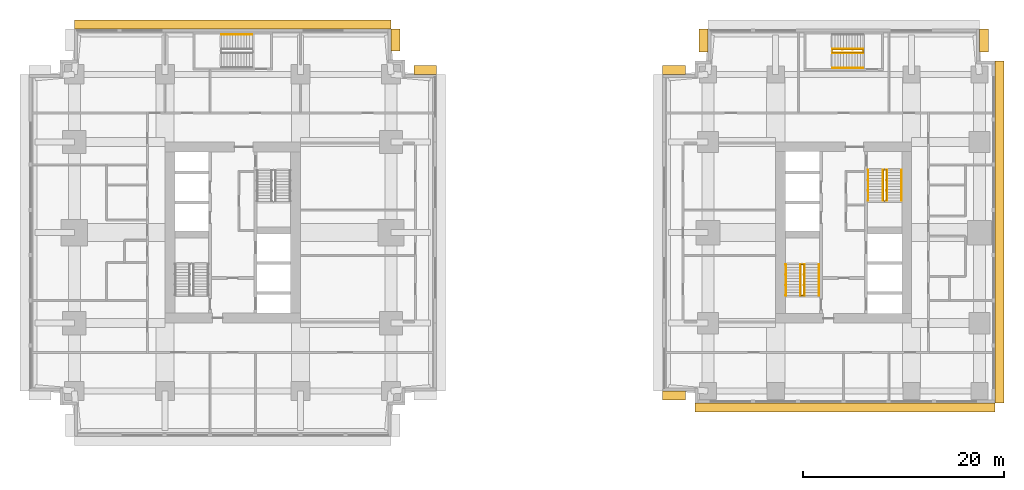
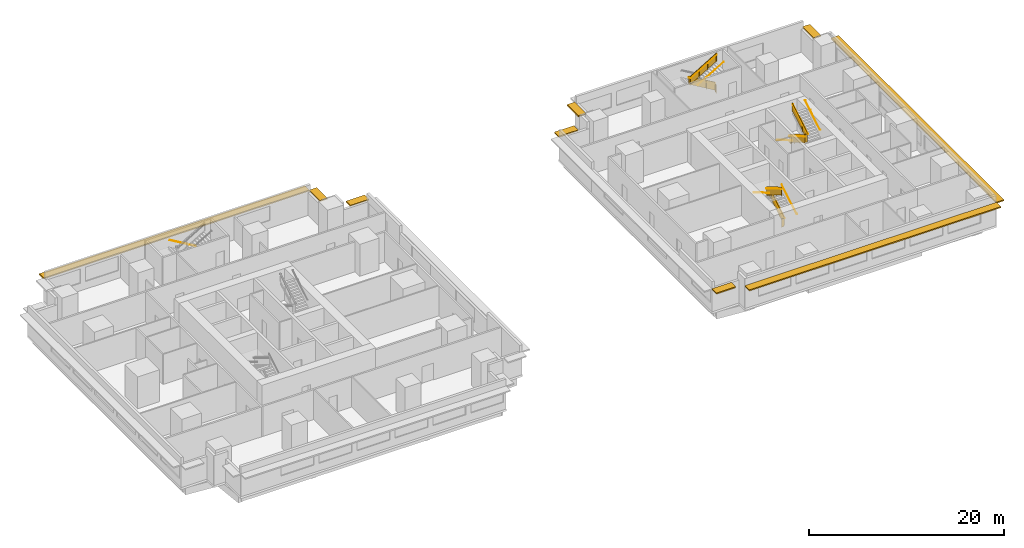
# One storey, part 10 of 11: 15 railings, 9 shading devices.
"""IFC4 building model written with IfcOpenShell, lengths in metres."""

import ifcopenshell
import ifcopenshell.guid

model = None  # the IFC model being written
_history = None  # IfcOwnerHistory: only IFC2X3 demands one
_inside = {}  # id of a spatial element -> (the spatial element, [elements in it])
_under = {}  # id of a project, library or spatial element -> (it, [spatial elements below it])
_declared = {}  # id of a project -> (the project, [libraries it declares])
_typed = {}  # id of a type object -> (the type object, [elements of that type])
_made_of = {}  # id of a material, layer set ... -> (it, [elements and type objects made of it])


def new_model(schema):
    """Start an empty IFC model of exactly this schema.

    Asked for "IFC4X3", IfcOpenShell would pick the latest addendum, in which some entities
    have other attributes; the version numbers below select the first issue.
    IFC2X3 requires an IfcOwnerHistory on every rooted entity: one is made here for all.
    """
    global model, _history
    if schema == "IFC4X3":
        model = ifcopenshell.file(schema_version=(4, 3, 0, 0))
    else:
        model = ifcopenshell.file(schema=schema)
    _inside.clear()
    _under.clear()
    _declared.clear()
    _typed.clear()
    _made_of.clear()
    _history = None
    if model.schema == "IFC2X3":
        org = make("IfcOrganization", Name="unknown")
        user = make(
            "IfcPersonAndOrganization",
            ThePerson=make("IfcPerson", FamilyName="unknown"),
            TheOrganization=org,
        )
        app = make(
            "IfcApplication",
            ApplicationDeveloper=org,
            Version="unknown",
            ApplicationFullName="unknown",
            ApplicationIdentifier="unknown",
        )
        _history = make(
            "IfcOwnerHistory",
            OwningUser=user,
            OwningApplication=app,
            ChangeAction="ADDED",
            CreationDate=0,
        )
    return model


def make(cls, **values):
    """One entity of the class cls with the attributes given. An attribute that is None is left unset."""
    return model.create_entity(
        cls, **{name: value for name, value in values.items() if value is not None}
    )


def rooted(cls, **values):
    """An entity with a GlobalId (a new one), such as an element, a storey or a relation."""
    return make(cls, GlobalId=ifcopenshell.guid.new(), OwnerHistory=_history, **values)


def si_unit(unit_type, name, prefix=None):
    """IfcSIUnit, for example si_unit("LENGTHUNIT", "METRE", prefix="MILLI")."""
    return make("IfcSIUnit", UnitType=unit_type, Prefix=prefix, Name=name)


def assignment(units):
    """IfcUnitAssignment: the units of a project."""
    return None if units is None else make("IfcUnitAssignment", Units=units)


def point(xyz):
    """IfcCartesianPoint."""
    return None if xyz is None else make("IfcCartesianPoint", Coordinates=xyz)


def direction(xyz):
    """IfcDirection."""
    return None if xyz is None else make("IfcDirection", DirectionRatios=xyz)


def frame(location, z_axis=None, x_axis=None):
    """IfcAxis2Placement3D, a coordinate frame: its origin and axes. An axis left out is left unset."""
    return make(
        "IfcAxis2Placement3D",
        Location=point(location),
        Axis=direction(z_axis),
        RefDirection=direction(x_axis),
    )


def frame_2d(location, x_axis=None):
    """IfcAxis2Placement2D, a coordinate frame in the plane: its origin and x axis."""
    return make(
        "IfcAxis2Placement2D", Location=point(location), RefDirection=direction(x_axis)
    )


def origin():
    """The frame at (0, 0, 0) with its axes left unset."""
    return frame((0.0, 0.0, 0.0))


def origin_2d():
    """The frame at (0, 0) in the plane with its x axis left unset."""
    return frame_2d((0.0, 0.0))


def place(relative_to, where):
    """IfcLocalPlacement: puts the frame where relative to a parent placement (None: the world)."""
    return make(
        "IfcLocalPlacement", PlacementRelTo=relative_to, RelativePlacement=where
    )


def context(
    kind, dimensions, precision=None, world=None, true_north=None, identifier=None
):
    """IfcGeometricRepresentationContext, for example the 3D "Model" context."""
    return make(
        "IfcGeometricRepresentationContext",
        ContextIdentifier=identifier,
        ContextType=kind,
        CoordinateSpaceDimension=dimensions,
        Precision=precision,
        WorldCoordinateSystem=world,
        TrueNorth=true_north,
    )


def subcontext(parent, identifier, kind, view, scale=None):
    """IfcGeometricRepresentationSubContext, for example "Body" below "Model"."""
    return make(
        "IfcGeometricRepresentationSubContext",
        ContextIdentifier=identifier,
        ContextType=kind,
        ParentContext=parent,
        TargetScale=scale,
        TargetView=view,
    )


def project(units=None, contexts=None):
    """IfcProject with its units and contexts."""
    return rooted(
        "IfcProject",
        Name="project",
        RepresentationContexts=contexts,
        UnitsInContext=assignment(units),
    )


def spatial(cls, under=None, at=None, **own):
    """A site, building, storey or space (cls), placed at a placement, below another one or the project."""
    s = rooted(cls, ObjectPlacement=at, **own)
    if under is not None:
        _under.setdefault(under.id(), (under, []))[1].append(s)
    return s


def polyline(points):
    """IfcPolyline through the points."""
    return make("IfcPolyline", Points=[point(p) for p in points])


def profile(cls, at=None, kind="AREA", **sizes):
    """A parametric profile (cls). Its sizes go by their IFC names, for example OverallWidth=200.0."""
    return make(cls, ProfileType=kind, Position=at, **sizes)


def rectangle(**sizes):
    """IfcRectangleProfileDef."""
    return profile("IfcRectangleProfileDef", **sizes)


def circle(**sizes):
    """IfcCircleProfileDef."""
    return profile("IfcCircleProfileDef", **sizes)


def outline(outer, holes=None, kind="AREA"):
    """IfcArbitraryClosedProfileDef: a profile drawn as a closed curve; with holes, ...WithVoids."""
    if holes is None:
        return make("IfcArbitraryClosedProfileDef", ProfileType=kind, OuterCurve=outer)
    return make(
        "IfcArbitraryProfileDefWithVoids",
        ProfileType=kind,
        OuterCurve=outer,
        InnerCurves=holes,
    )


def extrude(swept, where, along, depth):
    """IfcExtrudedAreaSolid: the profile swept, set in the frame where, extruded along a direction by depth."""
    return make(
        "IfcExtrudedAreaSolid",
        SweptArea=swept,
        Position=where,
        ExtrudedDirection=direction(along),
        Depth=depth,
    )


def shape(context_of_items, identifier, shape_type, items):
    """IfcShapeRepresentation: the items that make up one representation, for example the "Body"."""
    return make(
        "IfcShapeRepresentation",
        ContextOfItems=context_of_items,
        RepresentationIdentifier=identifier,
        RepresentationType=shape_type,
        Items=items,
    )


def material(Name=None, Category=None):
    """IfcMaterial."""
    return make("IfcMaterial", Name=Name, Category=Category)


def layer(
    of_material, thickness, ventilated=None, Name=None, Category=None, Priority=None
):
    """IfcMaterialLayer: one layer of a wall or slab, of a material (None: an air gap)."""
    return make(
        "IfcMaterialLayer",
        Material=of_material,
        LayerThickness=thickness,
        IsVentilated=ventilated,
        Name=Name,
        Category=Category,
        Priority=Priority,
    )


def layer_set(layers, Name=None):
    """IfcMaterialLayerSet."""
    return make("IfcMaterialLayerSet", MaterialLayers=layers, LayerSetName=Name)


def made_of(thing, what):
    """Note that an element or type object is made of a material, layer set ...; save() writes the relation."""
    if what is not None:
        _made_of.setdefault(what.id(), (what, []))[1].append(thing)
    return thing


def type_object(cls, material=None, **own):
    """A type object (cls), such as IfcWallType, which elements share."""
    return made_of(rooted(cls, **own), material)


def element(
    cls,
    number,
    at=None,
    inside=None,
    cuts=None,
    type_object=None,
    material=None,
    context=None,
    identifier="Body",
    shape_type=None,
    held_by="IfcProductDefinitionShape",
    body=None,
    shapes=None,
    **own,
):
    """One element of the class cls, such as IfcWall. Its Tag is "e" and its number.

    at: its placement. inside: the storey or other place that contains it. cuts: it is an
    opening in that element (IfcRelVoidsElement). A single representation is given by context,
    identifier, shape_type and body (its items); several are given by shapes. held_by: the class
    of the entity that holds the representations. save() writes the other relations.
    """
    e = rooted(cls, Tag="e%d" % number, ObjectPlacement=at, **own)
    if body is not None:
        shapes = [shape(context, identifier, shape_type, body)]
    if shapes is not None:
        e.Representation = make(held_by, Representations=shapes)
    if inside is not None:
        _inside.setdefault(inside.id(), (inside, []))[1].append(e)
    if cuts is not None:
        rooted(
            "IfcRelVoidsElement", RelatingBuildingElement=cuts, RelatedOpeningElement=e
        )
    if type_object is not None:
        _typed.setdefault(type_object.id(), (type_object, []))[1].append(e)
    return made_of(e, material)


def aggregate(whole, parts):
    """IfcRelAggregates: a whole, such as a stair, and the parts it consists of."""
    return rooted("IfcRelAggregates", RelatingObject=whole, RelatedObjects=parts)


def save(model, path):
    """Write the relations noted so far, then the file.

    IfcRelAggregates (storeys below a building ...), IfcRelContainedInSpatialStructure (elements
    in a storey), IfcRelDefinesByType, IfcRelAssociatesMaterial and IfcRelDeclares: one each for
    every whole, place, type object, material and project.
    """
    for whole, parts in _under.values():
        aggregate(whole, parts)
    for where, things in _inside.values():
        rooted(
            "IfcRelContainedInSpatialStructure",
            RelatedElements=things,
            RelatingStructure=where,
        )
    for kind, things in _typed.values():
        rooted("IfcRelDefinesByType", RelatedObjects=things, RelatingType=kind)
    for what, things in _made_of.values():
        rooted("IfcRelAssociatesMaterial", RelatedObjects=things, RelatingMaterial=what)
    for by, libraries in _declared.values():
        rooted("IfcRelDeclares", RelatingContext=by, RelatedDefinitions=libraries)
    model.write(path)


model = new_model("IFC4")

# Units and contexts
model_context = context("Model", 3, precision=1e-05, world=origin(), true_north=direction((0.0, 1.0)))
body_context = subcontext(model_context, "Body", "Model", "MODEL_VIEW")
ifc_project = project(units=[si_unit("LENGTHUNIT", "METRE"), si_unit("AREAUNIT", "SQUARE_METRE"), si_unit("VOLUMEUNIT", "CUBIC_METRE"), si_unit("PLANEANGLEUNIT", "RADIAN"), si_unit("MASSUNIT", "GRAM", prefix="KILO")], contexts=[model_context])

# Site, building, storey
site_placement = place(None, origin())
site = spatial("IfcSite", under=ifc_project, at=site_placement, CompositionType="ELEMENT")
building_placement = place(site_placement, origin())
building = spatial("IfcBuilding", under=site, at=building_placement, Name="Namib Vertical Campus", CompositionType="ELEMENT")
storey_placement = place(building_placement, frame((0.0, 0.0, 101.0)))
storey = spatial("IfcBuildingStorey", under=building, at=storey_placement, Name="L23", CompositionType="ELEMENT", Elevation=101.0)

# Railings
ifc_material_1 = material(Name="Steel handrail", Category="steel")
railing_type_1 = type_object("IfcRailingType", Name="Handrail 900", PredefinedType="HANDRAIL", material=ifc_material_1)
railing_1_placement = place(storey_placement, frame((78.550048828125, 14.0, 0.166748046875)))
element("IfcRailing", 1, at=railing_1_placement, inside=storey, type_object=railing_type_1, Name="Handrail HR1 B-S1 L23 1", PredefinedType="HANDRAIL", context=body_context, shape_type="SweptSolid", body=[
    extrude(circle(Radius=0.02392578125, at=origin_2d()), frame((0.0, 0.0, 0.8759765625), z_axis=(0.0, 0.859308565015, 0.511457515432), x_axis=(-1.0, 0.0, 0.0)), (0.0, 0.0, 1.0), 3.58447265625),
    extrude(circle(Radius=0.008056640625, at=origin_2d()), frame((0.0, 0.0, 0.8759765625), z_axis=(1.0, 0.0, 0.0), x_axis=(0.0, 0.0, 1.0)), (0.0, 0.0, 1.0), 0.050048828125),
    extrude(circle(Radius=0.008056640625, at=origin_2d()), frame((0.0, 1.026611328125, 1.48681640625), z_axis=(1.0, 0.0, 0.0), x_axis=(0.0, 0.0, 1.0)), (0.0, 0.0, 1.0), 0.050048828125),
    extrude(circle(Radius=0.008056640625, at=origin_2d()), frame((0.0, 2.053466796875, 2.09814453125), z_axis=(1.0, 0.0, 0.0), x_axis=(0.0, 0.0, 1.0)), (0.0, 0.0, 1.0), 0.050048828125),
    extrude(circle(Radius=0.008056640625, at=origin_2d()), frame((0.0, 3.080078125, 2.708984375), z_axis=(1.0, 0.0, 0.0), x_axis=(0.0, 0.0, 1.0)), (0.0, 0.0, 1.0), 0.050048828125),
])
railing_2_placement = place(storey_placement, frame((75.25, 17.080078125, 2.166748046875)))
element("IfcRailing", 2, at=railing_2_placement, inside=storey, type_object=railing_type_1, Name="Handrail HR1 B-S1 L23 2", PredefinedType="HANDRAIL", context=body_context, shape_type="SweptSolid", body=[
    extrude(circle(Radius=0.02392578125, at=origin_2d()), frame((0.0, 0.0, 0.8759765625), z_axis=(0.0, -0.859308565015, 0.511457515432), x_axis=(1.0, 0.0, 0.0)), (0.0, 0.0, 1.0), 3.58447265625),
    extrude(circle(Radius=0.008056640625, at=origin_2d()), frame((0.0, 0.0, 0.8759765625), z_axis=(-1.0, 0.0, 0.0), x_axis=(0.0, 0.0, 1.0)), (0.0, 0.0, 1.0), 0.050048828125),
    extrude(circle(Radius=0.008056640625, at=origin_2d()), frame((0.0, -1.026611328125, 1.48681640625), z_axis=(-1.0, 0.0, 0.0), x_axis=(0.0, 0.0, 1.0)), (0.0, 0.0, 1.0), 0.050048828125),
    extrude(circle(Radius=0.008056640625, at=origin_2d()), frame((0.0, -2.053466796875, 2.09814453125), z_axis=(-1.0, 0.0, 0.0), x_axis=(0.0, 0.0, 1.0)), (0.0, 0.0, 1.0), 0.050048828125),
    extrude(circle(Radius=0.008056640625, at=origin_2d()), frame((0.0, -3.080078125, 2.708984375), z_axis=(-1.0, 0.0, 0.0), x_axis=(0.0, 0.0, 1.0)), (0.0, 0.0, 1.0), 0.050048828125),
])
railing_3_placement = place(storey_placement, frame((77.10009765625, 14.0, 0.166748046875)))
element("IfcRailing", 3, at=railing_3_placement, inside=storey, type_object=railing_type_1, Name="Handrail HR1 B-S1 L23 1 at the well", PredefinedType="HANDRAIL", context=body_context, shape_type="SweptSolid", body=[
    extrude(circle(Radius=0.02392578125, at=origin_2d()), frame((0.0, 0.0, 0.8759765625), z_axis=(0.0, 0.859308565015, 0.511457515432), x_axis=(-1.0, 0.0, 0.0)), (0.0, 0.0, 1.0), 3.58447265625),
    extrude(circle(Radius=0.008056640625, at=origin_2d()), frame((0.0, 0.0, 0.8759765625), z_axis=(-1.0, 0.0, 0.0), x_axis=(0.0, 0.0, 1.0)), (0.0, 0.0, 1.0), 0.0400390625),
    extrude(circle(Radius=0.008056640625, at=origin_2d()), frame((0.0, 1.026611328125, 1.48681640625), z_axis=(-1.0, 0.0, 0.0), x_axis=(0.0, 0.0, 1.0)), (0.0, 0.0, 1.0), 0.0400390625),
    extrude(circle(Radius=0.008056640625, at=origin_2d()), frame((0.0, 2.053466796875, 2.09814453125), z_axis=(-1.0, 0.0, 0.0), x_axis=(0.0, 0.0, 1.0)), (0.0, 0.0, 1.0), 0.0400390625),
    extrude(circle(Radius=0.008056640625, at=origin_2d()), frame((0.0, 3.080078125, 2.708984375), z_axis=(-1.0, 0.0, 0.0), x_axis=(0.0, 0.0, 1.0)), (0.0, 0.0, 1.0), 0.0400390625),
])
railing_4_placement = place(storey_placement, frame((76.699951171875, 17.080078125, 2.166748046875)))
element("IfcRailing", 4, at=railing_4_placement, inside=storey, type_object=railing_type_1, Name="Handrail HR1 B-S1 L23 2 at the well", PredefinedType="HANDRAIL", context=body_context, shape_type="SweptSolid", body=[
    extrude(circle(Radius=0.02392578125, at=origin_2d()), frame((0.0, 0.0, 0.8759765625), z_axis=(0.0, -0.859308565015, 0.511457515432), x_axis=(1.0, 0.0, 0.0)), (0.0, 0.0, 1.0), 3.58447265625),
    extrude(circle(Radius=0.008056640625, at=origin_2d()), frame((0.0, 0.0, 0.8759765625), z_axis=(1.0, 0.0, 0.0), x_axis=(0.0, 0.0, 1.0)), (0.0, 0.0, 1.0), 0.0400390625),
    extrude(circle(Radius=0.008056640625, at=origin_2d()), frame((0.0, -1.026611328125, 1.48681640625), z_axis=(1.0, 0.0, 0.0), x_axis=(0.0, 0.0, 1.0)), (0.0, 0.0, 1.0), 0.0400390625),
    extrude(circle(Radius=0.008056640625, at=origin_2d()), frame((0.0, -2.053466796875, 2.09814453125), z_axis=(1.0, 0.0, 0.0), x_axis=(0.0, 0.0, 1.0)), (0.0, 0.0, 1.0), 0.0400390625),
    extrude(circle(Radius=0.008056640625, at=origin_2d()), frame((0.0, -3.080078125, 2.708984375), z_axis=(1.0, 0.0, 0.0), x_axis=(0.0, 0.0, 1.0)), (0.0, 0.0, 1.0), 0.0400390625),
])
railing_5_placement = place(storey_placement, frame((83.449951171875, 26.5, 0.166748046875)))
element("IfcRailing", 5, at=railing_5_placement, inside=storey, type_object=railing_type_1, Name="Handrail HR1 B-S2 L23 1", PredefinedType="HANDRAIL", context=body_context, shape_type="SweptSolid", body=[
    extrude(circle(Radius=0.02392578125, at=origin_2d()), frame((0.0, 0.0, 0.8759765625), z_axis=(0.0, -0.859308565015, 0.511457515432), x_axis=(1.0, 0.0, 0.0)), (0.0, 0.0, 1.0), 3.58447265625),
    extrude(circle(Radius=0.008056640625, at=origin_2d()), frame((0.0, 0.0, 0.8759765625), z_axis=(-1.0, 0.0, 0.0), x_axis=(0.0, 0.0, 1.0)), (0.0, 0.0, 1.0), 0.050048828125),
    extrude(circle(Radius=0.008056640625, at=origin_2d()), frame((0.0, -1.026611328125, 1.48681640625), z_axis=(-1.0, 0.0, 0.0), x_axis=(0.0, 0.0, 1.0)), (0.0, 0.0, 1.0), 0.050048828125),
    extrude(circle(Radius=0.008056640625, at=origin_2d()), frame((0.0, -2.053466796875, 2.09814453125), z_axis=(-1.0, 0.0, 0.0), x_axis=(0.0, 0.0, 1.0)), (0.0, 0.0, 1.0), 0.050048828125),
    extrude(circle(Radius=0.008056640625, at=origin_2d()), frame((0.0, -3.080078125, 2.708984375), z_axis=(-1.0, 0.0, 0.0), x_axis=(0.0, 0.0, 1.0)), (0.0, 0.0, 1.0), 0.050048828125),
])
railing_6_placement = place(storey_placement, frame((86.75, 23.419921875, 2.166748046875)))
element("IfcRailing", 6, at=railing_6_placement, inside=storey, type_object=railing_type_1, Name="Handrail HR1 B-S2 L23 2", PredefinedType="HANDRAIL", context=body_context, shape_type="SweptSolid", body=[
    extrude(circle(Radius=0.02392578125, at=origin_2d()), frame((0.0, 0.0, 0.8759765625), z_axis=(0.0, 0.859308565015, 0.511457515432), x_axis=(-1.0, 0.0, 0.0)), (0.0, 0.0, 1.0), 3.58447265625),
    extrude(circle(Radius=0.008056640625, at=origin_2d()), frame((0.0, 0.0, 0.8759765625), z_axis=(1.0, 0.0, 0.0), x_axis=(0.0, 0.0, 1.0)), (0.0, 0.0, 1.0), 0.050048828125),
    extrude(circle(Radius=0.008056640625, at=origin_2d()), frame((0.0, 1.026611328125, 1.48681640625), z_axis=(1.0, 0.0, 0.0), x_axis=(0.0, 0.0, 1.0)), (0.0, 0.0, 1.0), 0.050048828125),
    extrude(circle(Radius=0.008056640625, at=origin_2d()), frame((0.0, 2.053466796875, 2.09814453125), z_axis=(1.0, 0.0, 0.0), x_axis=(0.0, 0.0, 1.0)), (0.0, 0.0, 1.0), 0.050048828125),
    extrude(circle(Radius=0.008056640625, at=origin_2d()), frame((0.0, 3.080078125, 2.708984375), z_axis=(1.0, 0.0, 0.0), x_axis=(0.0, 0.0, 1.0)), (0.0, 0.0, 1.0), 0.050048828125),
])
railing_7_placement = place(storey_placement, frame((84.89990234375, 26.5, 0.166748046875)))
element("IfcRailing", 7, at=railing_7_placement, inside=storey, type_object=railing_type_1, Name="Handrail HR1 B-S2 L23 1 at the well", PredefinedType="HANDRAIL", context=body_context, shape_type="SweptSolid", body=[
    extrude(circle(Radius=0.02392578125, at=origin_2d()), frame((0.0, 0.0, 0.8759765625), z_axis=(0.0, -0.859308565015, 0.511457515432), x_axis=(1.0, 0.0, 0.0)), (0.0, 0.0, 1.0), 3.58447265625),
    extrude(circle(Radius=0.008056640625, at=origin_2d()), frame((0.0, 0.0, 0.8759765625), z_axis=(1.0, 0.0, 0.0), x_axis=(0.0, 0.0, 1.0)), (0.0, 0.0, 1.0), 0.0400390625),
    extrude(circle(Radius=0.008056640625, at=origin_2d()), frame((0.0, -1.026611328125, 1.48681640625), z_axis=(1.0, 0.0, 0.0), x_axis=(0.0, 0.0, 1.0)), (0.0, 0.0, 1.0), 0.0400390625),
    extrude(circle(Radius=0.008056640625, at=origin_2d()), frame((0.0, -2.053466796875, 2.09814453125), z_axis=(1.0, 0.0, 0.0), x_axis=(0.0, 0.0, 1.0)), (0.0, 0.0, 1.0), 0.0400390625),
    extrude(circle(Radius=0.008056640625, at=origin_2d()), frame((0.0, -3.080078125, 2.708984375), z_axis=(1.0, 0.0, 0.0), x_axis=(0.0, 0.0, 1.0)), (0.0, 0.0, 1.0), 0.0400390625),
])
railing_8_placement = place(storey_placement, frame((85.300048828125, 23.419921875, 2.166748046875)))
element("IfcRailing", 8, at=railing_8_placement, inside=storey, type_object=railing_type_1, Name="Handrail HR1 B-S2 L23 2 at the well", PredefinedType="HANDRAIL", context=body_context, shape_type="SweptSolid", body=[
    extrude(circle(Radius=0.02392578125, at=origin_2d()), frame((0.0, 0.0, 0.8759765625), z_axis=(0.0, 0.859308565015, 0.511457515432), x_axis=(-1.0, 0.0, 0.0)), (0.0, 0.0, 1.0), 3.58447265625),
    extrude(circle(Radius=0.008056640625, at=origin_2d()), frame((0.0, 0.0, 0.8759765625), z_axis=(-1.0, 0.0, 0.0), x_axis=(0.0, 0.0, 1.0)), (0.0, 0.0, 1.0), 0.0400390625),
    extrude(circle(Radius=0.008056640625, at=origin_2d()), frame((0.0, 1.026611328125, 1.48681640625), z_axis=(-1.0, 0.0, 0.0), x_axis=(0.0, 0.0, 1.0)), (0.0, 0.0, 1.0), 0.0400390625),
    extrude(circle(Radius=0.008056640625, at=origin_2d()), frame((0.0, 2.053466796875, 2.09814453125), z_axis=(-1.0, 0.0, 0.0), x_axis=(0.0, 0.0, 1.0)), (0.0, 0.0, 1.0), 0.0400390625),
    extrude(circle(Radius=0.008056640625, at=origin_2d()), frame((0.0, 3.080078125, 2.708984375), z_axis=(-1.0, 0.0, 0.0), x_axis=(0.0, 0.0, 1.0)), (0.0, 0.0, 1.0), 0.0400390625),
])
railing_9_placement = place(storey_placement, frame((22.199951171875, 39.949951171875, 0.166748046875)))
element("IfcRailing", 9, at=railing_9_placement, inside=storey, type_object=railing_type_1, Name="Handrail HR1 A-S3 L23 1", PredefinedType="HANDRAIL", context=body_context, shape_type="SweptSolid", body=[
    extrude(circle(Radius=0.02392578125, at=origin_2d()), frame((0.0, 0.0, 0.8759765625), z_axis=(-0.859290745958, 0.0, 0.51148745235), x_axis=(0.0, -1.0, 0.0)), (0.0, 0.0, 1.0), 3.584228515625),
    extrude(circle(Radius=0.008056640625, at=origin_2d()), frame((0.0, 0.0, 0.8759765625), z_axis=(0.0, 1.0, 0.0), x_axis=(0.0, 0.0, 1.0)), (0.0, 0.0, 1.0), 0.050048828125),
    extrude(circle(Radius=0.008056640625, at=origin_2d()), frame((-1.026611328125, 0.0, 1.48681640625), z_axis=(0.0, 1.0, 0.0), x_axis=(0.0, 0.0, 1.0)), (0.0, 0.0, 1.0), 0.050048828125),
    extrude(circle(Radius=0.008056640625, at=origin_2d()), frame((-2.05322265625, 0.0, 2.09814453125), z_axis=(0.0, 1.0, 0.0), x_axis=(0.0, 0.0, 1.0)), (0.0, 0.0, 1.0), 0.050048828125),
    extrude(circle(Radius=0.008056640625, at=origin_2d()), frame((-3.079833984375, 0.0, 2.708984375), z_axis=(0.0, 1.0, 0.0), x_axis=(0.0, 0.0, 1.0)), (0.0, 0.0, 1.0), 0.050048828125),
])
railing_10_placement = place(storey_placement, frame((79.8701171875, 36.64990234375, 2.166748046875)))
element("IfcRailing", 10, at=railing_10_placement, inside=storey, type_object=railing_type_1, Name="Handrail HR1 B-S3 L23 2", PredefinedType="HANDRAIL", context=body_context, shape_type="SweptSolid", body=[
    extrude(circle(Radius=0.02392578125, at=origin_2d()), frame((0.0, 0.0, 0.8759765625), z_axis=(0.859290745958, 0.0, 0.51148745235), x_axis=(0.0, 1.0, 0.0)), (0.0, 0.0, 1.0), 3.584228515625),
    extrude(circle(Radius=0.008056640625, at=origin_2d()), frame((0.0, 0.0, 0.8759765625), z_axis=(0.0, -1.0, 0.0), x_axis=(0.0, 0.0, 1.0)), (0.0, 0.0, 1.0), 0.050048828125),
    extrude(circle(Radius=0.008056640625, at=origin_2d()), frame((1.026611328125, 0.0, 1.48681640625), z_axis=(0.0, -1.0, 0.0), x_axis=(0.0, 0.0, 1.0)), (0.0, 0.0, 1.0), 0.050048828125),
    extrude(circle(Radius=0.008056640625, at=origin_2d()), frame((2.05322265625, 0.0, 2.09814453125), z_axis=(0.0, -1.0, 0.0), x_axis=(0.0, 0.0, 1.0)), (0.0, 0.0, 1.0), 0.050048828125),
    extrude(circle(Radius=0.008056640625, at=origin_2d()), frame((3.079833984375, 0.0, 2.708984375), z_axis=(0.0, -1.0, 0.0), x_axis=(0.0, 0.0, 1.0)), (0.0, 0.0, 1.0), 0.050048828125),
])
railing_11_placement = place(storey_placement, frame((82.949951171875, 38.5, 0.166748046875)))
element("IfcRailing", 11, at=railing_11_placement, inside=storey, type_object=railing_type_1, Name="Handrail HR1 B-S3 L23 1 at the well", PredefinedType="HANDRAIL", context=body_context, shape_type="SweptSolid", body=[
    extrude(circle(Radius=0.02392578125, at=origin_2d()), frame((0.0, 0.0, 0.8759765625), z_axis=(-0.859290745958, 0.0, 0.51148745235), x_axis=(0.0, -1.0, 0.0)), (0.0, 0.0, 1.0), 3.584228515625),
    extrude(circle(Radius=0.008056640625, at=origin_2d()), frame((0.0, 0.0, 0.8759765625), z_axis=(0.0, -1.0, 0.0), x_axis=(0.0, 0.0, 1.0)), (0.0, 0.0, 1.0), 0.0400390625),
    extrude(circle(Radius=0.008056640625, at=origin_2d()), frame((-1.026611328125, 0.0, 1.48681640625), z_axis=(0.0, -1.0, 0.0), x_axis=(0.0, 0.0, 1.0)), (0.0, 0.0, 1.0), 0.0400390625),
    extrude(circle(Radius=0.008056640625, at=origin_2d()), frame((-2.05322265625, 0.0, 2.09814453125), z_axis=(0.0, -1.0, 0.0), x_axis=(0.0, 0.0, 1.0)), (0.0, 0.0, 1.0), 0.0400390625),
    extrude(circle(Radius=0.008056640625, at=origin_2d()), frame((-3.079833984375, 0.0, 2.708984375), z_axis=(0.0, -1.0, 0.0), x_axis=(0.0, 0.0, 1.0)), (0.0, 0.0, 1.0), 0.0400390625),
])
railing_12_placement = place(storey_placement, frame((79.8701171875, 38.10009765625, 2.166748046875)))
element("IfcRailing", 12, at=railing_12_placement, inside=storey, type_object=railing_type_1, Name="Handrail HR1 B-S3 L23 2 at the well", PredefinedType="HANDRAIL", context=body_context, shape_type="SweptSolid", body=[
    extrude(circle(Radius=0.02392578125, at=origin_2d()), frame((0.0, 0.0, 0.8759765625), z_axis=(0.859290745958, 0.0, 0.51148745235), x_axis=(0.0, 1.0, 0.0)), (0.0, 0.0, 1.0), 3.584228515625),
    extrude(circle(Radius=0.008056640625, at=origin_2d()), frame((0.0, 0.0, 0.8759765625), z_axis=(0.0, 1.0, 0.0), x_axis=(0.0, 0.0, 1.0)), (0.0, 0.0, 1.0), 0.0400390625),
    extrude(circle(Radius=0.008056640625, at=origin_2d()), frame((1.026611328125, 0.0, 1.48681640625), z_axis=(0.0, 1.0, 0.0), x_axis=(0.0, 0.0, 1.0)), (0.0, 0.0, 1.0), 0.0400390625),
    extrude(circle(Radius=0.008056640625, at=origin_2d()), frame((2.05322265625, 0.0, 2.09814453125), z_axis=(0.0, 1.0, 0.0), x_axis=(0.0, 0.0, 1.0)), (0.0, 0.0, 1.0), 0.0400390625),
    extrude(circle(Radius=0.008056640625, at=origin_2d()), frame((3.079833984375, 0.0, 2.708984375), z_axis=(0.0, 1.0, 0.0), x_axis=(0.0, 0.0, 1.0)), (0.0, 0.0, 1.0), 0.0400390625),
])
ifc_material_2 = material(Name="Steel balustrade", Category="steel")
railing_type_2 = type_object("IfcRailingType", Name="Stair guard 1100", PredefinedType="GUARDRAIL", material=ifc_material_2)
railing_13_placement = place(storey_placement, frame((76.75, 14.0, 0.0)))
element("IfcRailing", 13, at=railing_13_placement, inside=storey, type_object=railing_type_2, Name="Stair guard GR1 B-S1 L23", PredefinedType="GUARDRAIL", context=body_context, shape_type="SweptSolid", body=[
    extrude(circle(Radius=0.02392578125, at=origin_2d()), frame((0.0, 0.0, 1.076171875), z_axis=(1.0, 0.0, 0.0), x_axis=(0.0, 1.0, 0.0)), (0.0, 0.0, 1.0), 0.300048828125),
    extrude(outline(polyline([(0.02099609375, 0.050048828125), (0.279052734375, 0.050048828125), (0.279052734375, 1.052001953125), (0.02099609375, 1.052001953125), (0.02099609375, 0.050048828125)])), frame((0.0, 0.010009765625, 0.0), z_axis=(0.0, -1.0, 0.0), x_axis=(1.0, 0.0, 0.0)), (0.0, 0.0, 1.0), 0.02001953125),
    extrude(circle(Radius=0.02392578125, at=origin_2d()), frame((0.300048828125, 0.0, 1.076171875), z_axis=(0.0, 0.0, 1.0), x_axis=(1.0, 0.0, 0.0)), (0.0, 0.0, 1.0), 0.166748046875),
    extrude(circle(Radius=0.02392578125, at=origin_2d()), frame((0.300048828125, 0.0, 1.24267578125), z_axis=(0.0, 0.859308565015, 0.511457515432), x_axis=(-1.0, 0.0, 0.0)), (0.0, 0.0, 1.0), 3.58447265625),
    extrude(outline(polyline([(0.02099609375, 0.0625), (3.05908203125, 1.870849609375), (3.05908203125, 2.872802734375), (0.02099609375, 1.064453125), (0.02099609375, 0.0625)])), frame((0.2900390625, 0.0, 0.166748046875), z_axis=(1.0, 0.0, 0.0), x_axis=(0.0, 1.0, 0.0)), (0.0, 0.0, 1.0), 0.02001953125),
    extrude(circle(Radius=0.02392578125, at=origin_2d()), frame((0.300048828125, 3.080078125, 3.076171875), z_axis=(-1.0, 0.0, 0.0), x_axis=(0.0, -1.0, 0.0)), (0.0, 0.0, 1.0), 0.300048828125),
    extrude(outline(polyline([(0.02099609375, 0.050048828125), (0.279052734375, 0.050048828125), (0.279052734375, 1.052001953125), (0.02099609375, 1.052001953125), (0.02099609375, 0.050048828125)])), frame((0.300048828125, 3.070068359375, 2.0), z_axis=(0.0, 1.0, 0.0), x_axis=(-1.0, 0.0, 0.0)), (0.0, 0.0, 1.0), 0.02001953125),
    extrude(circle(Radius=0.02392578125, at=origin_2d()), frame((0.0, 3.080078125, 3.076171875), z_axis=(0.0, 0.0, 1.0), x_axis=(1.0, 0.0, 0.0)), (0.0, 0.0, 1.0), 0.166748046875),
    extrude(circle(Radius=0.02392578125, at=origin_2d()), frame((0.0, 3.080078125, 3.24267578125), z_axis=(0.0, -0.859308565015, 0.511457515432), x_axis=(1.0, 0.0, 0.0)), (0.0, 0.0, 1.0), 3.58447265625),
    extrude(outline(polyline([(0.02099609375, 0.0625), (3.05908203125, 1.870849609375), (3.05908203125, 2.872802734375), (0.02099609375, 1.064453125), (0.02099609375, 0.0625)])), frame((0.010009765625, 3.080078125, 2.166748046875), z_axis=(-1.0, 0.0, 0.0), x_axis=(0.0, -1.0, 0.0)), (0.0, 0.0, 1.0), 0.02001953125),
    extrude(circle(Radius=0.02392578125, at=origin_2d()), frame((0.0, 0.0, 5.076171875), z_axis=(0.0, -1.0, 0.0), x_axis=(1.0, 0.0, 0.0)), (0.0, 0.0, 1.0), 0.050048828125),
    extrude(outline(polyline([(0.02099609375, 0.050048828125), (0.029052734375, 0.050048828125), (0.029052734375, 1.052001953125), (0.02099609375, 1.052001953125), (0.02099609375, 0.050048828125)])), frame((0.010009765625, 0.0, 4.0), z_axis=(-1.0, 0.0, 0.0), x_axis=(0.0, -1.0, 0.0)), (0.0, 0.0, 1.0), 0.02001953125),
    extrude(circle(Radius=0.02099609375, at=origin_2d()), origin(), (0.0, 0.0, 1.0), 1.052001953125),
    extrude(circle(Radius=0.02099609375, at=origin_2d()), frame((0.300048828125, 0.0, 0.166748046875)), (0.0, 0.0, 1.0), 1.052001953125),
    extrude(circle(Radius=0.02099609375, at=origin_2d()), frame((0.300048828125, 1.026611328125, 0.666748046875)), (0.0, 0.0, 1.0), 1.1630859375),
    extrude(circle(Radius=0.02099609375, at=origin_2d()), frame((0.300048828125, 2.053466796875, 1.33349609375)), (0.0, 0.0, 1.0), 1.107421875),
    extrude(circle(Radius=0.02099609375, at=origin_2d()), frame((0.300048828125, 3.080078125, 2.0)), (0.0, 0.0, 1.0), 1.052001953125),
    extrude(circle(Radius=0.02099609375, at=origin_2d()), frame((0.0, 3.080078125, 2.166748046875)), (0.0, 0.0, 1.0), 1.052001953125),
    extrude(circle(Radius=0.02099609375, at=origin_2d()), frame((0.0, 2.053466796875, 2.666748046875)), (0.0, 0.0, 1.0), 1.1630859375),
    extrude(circle(Radius=0.02099609375, at=origin_2d()), frame((0.0, 1.026611328125, 3.33349609375)), (0.0, 0.0, 1.0), 1.107421875),
    extrude(circle(Radius=0.02099609375, at=origin_2d()), frame((0.0, 0.0, 4.0)), (0.0, 0.0, 1.0), 1.052001953125),
    extrude(circle(Radius=0.02099609375, at=origin_2d()), frame((0.0, -0.050048828125, 4.0)), (0.0, 0.0, 1.0), 1.052001953125),
])
railing_14_placement = place(storey_placement, frame((85.25, 26.5, 0.0)))
element("IfcRailing", 14, at=railing_14_placement, inside=storey, type_object=railing_type_2, Name="Stair guard GR1 B-S2 L23", PredefinedType="GUARDRAIL", context=body_context, shape_type="SweptSolid", body=[
    extrude(circle(Radius=0.02392578125, at=origin_2d()), frame((0.0, 0.0, 1.076171875), z_axis=(-1.0, 0.0, 0.0), x_axis=(0.0, -1.0, 0.0)), (0.0, 0.0, 1.0), 0.300048828125),
    extrude(outline(polyline([(0.02099609375, 0.050048828125), (0.279052734375, 0.050048828125), (0.279052734375, 1.052001953125), (0.02099609375, 1.052001953125), (0.02099609375, 0.050048828125)])), frame((0.0, -0.010009765625, 0.0), z_axis=(0.0, 1.0, 0.0), x_axis=(-1.0, 0.0, 0.0)), (0.0, 0.0, 1.0), 0.02001953125),
    extrude(circle(Radius=0.02392578125, at=origin_2d()), frame((-0.300048828125, 0.0, 1.076171875), z_axis=(0.0, 0.0, 1.0), x_axis=(1.0, 0.0, 0.0)), (0.0, 0.0, 1.0), 0.166748046875),
    extrude(circle(Radius=0.02392578125, at=origin_2d()), frame((-0.300048828125, 0.0, 1.24267578125), z_axis=(0.0, -0.859308565015, 0.511457515432), x_axis=(1.0, 0.0, 0.0)), (0.0, 0.0, 1.0), 3.58447265625),
    extrude(outline(polyline([(0.02099609375, 0.0625), (3.05908203125, 1.870849609375), (3.05908203125, 2.872802734375), (0.02099609375, 1.064453125), (0.02099609375, 0.0625)])), frame((-0.2900390625, 0.0, 0.166748046875), z_axis=(-1.0, 0.0, 0.0), x_axis=(0.0, -1.0, 0.0)), (0.0, 0.0, 1.0), 0.02001953125),
    extrude(circle(Radius=0.02392578125, at=origin_2d()), frame((-0.300048828125, -3.080078125, 3.076171875), z_axis=(1.0, 0.0, 0.0), x_axis=(0.0, 1.0, 0.0)), (0.0, 0.0, 1.0), 0.300048828125),
    extrude(outline(polyline([(0.02099609375, 0.050048828125), (0.279052734375, 0.050048828125), (0.279052734375, 1.052001953125), (0.02099609375, 1.052001953125), (0.02099609375, 0.050048828125)])), frame((-0.300048828125, -3.070068359375, 2.0), z_axis=(0.0, -1.0, 0.0), x_axis=(1.0, 0.0, 0.0)), (0.0, 0.0, 1.0), 0.02001953125),
    extrude(circle(Radius=0.02392578125, at=origin_2d()), frame((0.0, -3.080078125, 3.076171875), z_axis=(0.0, 0.0, 1.0), x_axis=(1.0, 0.0, 0.0)), (0.0, 0.0, 1.0), 0.166748046875),
    extrude(circle(Radius=0.02392578125, at=origin_2d()), frame((0.0, -3.080078125, 3.24267578125), z_axis=(0.0, 0.859308565015, 0.511457515432), x_axis=(-1.0, 0.0, 0.0)), (0.0, 0.0, 1.0), 3.58447265625),
    extrude(outline(polyline([(0.02099609375, 0.0625), (3.05908203125, 1.870849609375), (3.05908203125, 2.872802734375), (0.02099609375, 1.064453125), (0.02099609375, 0.0625)])), frame((-0.010009765625, -3.080078125, 2.166748046875), z_axis=(1.0, 0.0, 0.0), x_axis=(0.0, 1.0, 0.0)), (0.0, 0.0, 1.0), 0.02001953125),
    extrude(circle(Radius=0.02392578125, at=origin_2d()), frame((0.0, 0.0, 5.076171875), z_axis=(0.0, 1.0, 0.0), x_axis=(-1.0, 0.0, 0.0)), (0.0, 0.0, 1.0), 0.050048828125),
    extrude(outline(polyline([(0.02099609375, 0.050048828125), (0.029052734375, 0.050048828125), (0.029052734375, 1.052001953125), (0.02099609375, 1.052001953125), (0.02099609375, 0.050048828125)])), frame((-0.010009765625, 0.0, 4.0), z_axis=(1.0, 0.0, 0.0), x_axis=(0.0, 1.0, 0.0)), (0.0, 0.0, 1.0), 0.02001953125),
    extrude(circle(Radius=0.02099609375, at=origin_2d()), origin(), (0.0, 0.0, 1.0), 1.052001953125),
    extrude(circle(Radius=0.02099609375, at=origin_2d()), frame((-0.300048828125, 0.0, 0.166748046875)), (0.0, 0.0, 1.0), 1.052001953125),
    extrude(circle(Radius=0.02099609375, at=origin_2d()), frame((-0.300048828125, -1.026611328125, 0.666748046875)), (0.0, 0.0, 1.0), 1.1630859375),
    extrude(circle(Radius=0.02099609375, at=origin_2d()), frame((-0.300048828125, -2.053466796875, 1.33349609375)), (0.0, 0.0, 1.0), 1.107421875),
    extrude(circle(Radius=0.02099609375, at=origin_2d()), frame((-0.300048828125, -3.080078125, 2.0)), (0.0, 0.0, 1.0), 1.052001953125),
    extrude(circle(Radius=0.02099609375, at=origin_2d()), frame((0.0, -3.080078125, 2.166748046875)), (0.0, 0.0, 1.0), 1.052001953125),
    extrude(circle(Radius=0.02099609375, at=origin_2d()), frame((0.0, -2.053466796875, 2.666748046875)), (0.0, 0.0, 1.0), 1.1630859375),
    extrude(circle(Radius=0.02099609375, at=origin_2d()), frame((0.0, -1.026611328125, 3.33349609375)), (0.0, 0.0, 1.0), 1.107421875),
    extrude(circle(Radius=0.02099609375, at=origin_2d()), frame((0.0, 0.0, 4.0)), (0.0, 0.0, 1.0), 1.052001953125),
    extrude(circle(Radius=0.02099609375, at=origin_2d()), frame((0.0, 0.050048828125, 4.0)), (0.0, 0.0, 1.0), 1.052001953125),
])
railing_15_placement = place(storey_placement, frame((82.949951171875, 38.14990234375, 0.0)))
element("IfcRailing", 15, at=railing_15_placement, inside=storey, type_object=railing_type_2, Name="Stair guard GR1 B-S3 L23", PredefinedType="GUARDRAIL", context=body_context, shape_type="SweptSolid", body=[
    extrude(circle(Radius=0.02392578125, at=origin_2d()), frame((0.0, 0.0, 1.076171875), z_axis=(0.0, 1.0, 0.0), x_axis=(-1.0, 0.0, 0.0)), (0.0, 0.0, 1.0), 0.300048828125),
    extrude(outline(polyline([(0.02099609375, 0.050048828125), (0.279052734375, 0.050048828125), (0.279052734375, 1.052001953125), (0.02099609375, 1.052001953125), (0.02099609375, 0.050048828125)])), frame((-0.010009765625, 0.0, 0.0), z_axis=(1.0, 0.0, 0.0), x_axis=(0.0, 1.0, 0.0)), (0.0, 0.0, 1.0), 0.02001953125),
    extrude(circle(Radius=0.02392578125, at=origin_2d()), frame((0.0, 0.300048828125, 1.076171875), z_axis=(0.0, 0.0, 1.0), x_axis=(1.0, 0.0, 0.0)), (0.0, 0.0, 1.0), 0.166748046875),
    extrude(circle(Radius=0.02392578125, at=origin_2d()), frame((0.0, 0.300048828125, 1.24267578125), z_axis=(-0.859290745958, 0.0, 0.51148745235), x_axis=(0.0, -1.0, 0.0)), (0.0, 0.0, 1.0), 3.584228515625),
    extrude(outline(polyline([(0.02099609375, 0.0625), (3.058837890625, 1.870849609375), (3.058837890625, 2.872802734375), (0.02099609375, 1.064453125), (0.02099609375, 0.0625)])), frame((0.0, 0.2900390625, 0.166748046875), z_axis=(0.0, 1.0, 0.0), x_axis=(-1.0, 0.0, 0.0)), (0.0, 0.0, 1.0), 0.02001953125),
    extrude(circle(Radius=0.02392578125, at=origin_2d()), frame((-3.079833984375, 0.300048828125, 3.076171875), z_axis=(0.0, -1.0, 0.0), x_axis=(1.0, 0.0, 0.0)), (0.0, 0.0, 1.0), 0.300048828125),
    extrude(outline(polyline([(0.02099609375, 0.050048828125), (0.279052734375, 0.050048828125), (0.279052734375, 1.052001953125), (0.02099609375, 1.052001953125), (0.02099609375, 0.050048828125)])), frame((-3.06982421875, 0.300048828125, 2.0), z_axis=(-1.0, 0.0, 0.0), x_axis=(0.0, -1.0, 0.0)), (0.0, 0.0, 1.0), 0.02001953125),
    extrude(circle(Radius=0.02392578125, at=origin_2d()), frame((-3.079833984375, 0.0, 3.076171875), z_axis=(0.0, 0.0, 1.0), x_axis=(1.0, 0.0, 0.0)), (0.0, 0.0, 1.0), 0.166748046875),
    extrude(circle(Radius=0.02392578125, at=origin_2d()), frame((-3.079833984375, 0.0, 3.24267578125), z_axis=(0.859290745958, 0.0, 0.51148745235), x_axis=(0.0, 1.0, 0.0)), (0.0, 0.0, 1.0), 3.584228515625),
    extrude(outline(polyline([(0.02099609375, 0.0625), (3.058837890625, 1.870849609375), (3.058837890625, 2.872802734375), (0.02099609375, 1.064453125), (0.02099609375, 0.0625)])), frame((-3.079833984375, 0.010009765625, 2.166748046875), z_axis=(0.0, -1.0, 0.0), x_axis=(1.0, 0.0, 0.0)), (0.0, 0.0, 1.0), 0.02001953125),
    extrude(circle(Radius=0.02392578125, at=origin_2d()), frame((0.0, 0.0, 5.076171875), z_axis=(1.0, 0.0, 0.0), x_axis=(0.0, 1.0, 0.0)), (0.0, 0.0, 1.0), 0.050048828125),
    extrude(outline(polyline([(0.02099609375, 0.050048828125), (0.029052734375, 0.050048828125), (0.029052734375, 1.052001953125), (0.02099609375, 1.052001953125), (0.02099609375, 0.050048828125)])), frame((0.0, 0.010009765625, 4.0), z_axis=(0.0, -1.0, 0.0), x_axis=(1.0, 0.0, 0.0)), (0.0, 0.0, 1.0), 0.02001953125),
    extrude(circle(Radius=0.02099609375, at=origin_2d()), origin(), (0.0, 0.0, 1.0), 1.052001953125),
    extrude(circle(Radius=0.02099609375, at=origin_2d()), frame((0.0, 0.300048828125, 0.166748046875)), (0.0, 0.0, 1.0), 1.052001953125),
    extrude(circle(Radius=0.02099609375, at=origin_2d()), frame((-1.026611328125, 0.300048828125, 0.666748046875)), (0.0, 0.0, 1.0), 1.1630859375),
    extrude(circle(Radius=0.02099609375, at=origin_2d()), frame((-2.05322265625, 0.300048828125, 1.33349609375)), (0.0, 0.0, 1.0), 1.107421875),
    extrude(circle(Radius=0.02099609375, at=origin_2d()), frame((-3.079833984375, 0.300048828125, 2.0)), (0.0, 0.0, 1.0), 1.052001953125),
    extrude(circle(Radius=0.02099609375, at=origin_2d()), frame((-3.079833984375, 0.0, 2.166748046875)), (0.0, 0.0, 1.0), 1.052001953125),
    extrude(circle(Radius=0.02099609375, at=origin_2d()), frame((-2.05322265625, 0.0, 2.666748046875)), (0.0, 0.0, 1.0), 1.1630859375),
    extrude(circle(Radius=0.02099609375, at=origin_2d()), frame((-1.026611328125, 0.0, 3.33349609375)), (0.0, 0.0, 1.0), 1.107421875),
    extrude(circle(Radius=0.02099609375, at=origin_2d()), frame((0.0, 0.0, 4.0)), (0.0, 0.0, 1.0), 1.052001953125),
    extrude(circle(Radius=0.02099609375, at=origin_2d()), frame((0.050048828125, 0.0, 4.0)), (0.0, 0.0, 1.0), 1.052001953125),
])

# Shading devices
ifc_material_3 = material(Name="Concrete C40/50 precast", Category="concrete")
ifc_layer = layer(ifc_material_3, 0.14990234375)
ifc_layer_set = layer_set([ifc_layer], Name="Concrete C40/50 precast")
shading_device_type = type_object("IfcShadingDeviceType", Name="Sunshade hood 900", PredefinedType="SHUTTER", material=ifc_layer_set)
for number, where, z_axis, x_axis, name in (
    (16, (39.39990234375, 36.449951171875, 2.75), (0.0, 0.0, 1.0), (-1.0, 0.0, 0.0), "Sunshade SH1 L23 7"),
    (17, (36.449951171875, 39.39990234375, 2.75), (0.0, 0.0, 1.0), (0.0, 1.0, 0.0), "Sunshade SH1 L23 10"),
):
    element("IfcShadingDevice", number, at=place(storey_placement, frame(where, z_axis=z_axis, x_axis=x_axis)), inside=storey, type_object=shading_device_type, Name=name, PredefinedType="SHUTTER", context=body_context, shape_type="SweptSolid", body=[
        extrude(rectangle(XDim=2.199951171875, YDim=0.89990234375, at=origin_2d()), origin(), (0.0, 0.0, 1.0), 0.14990234375),
    ])
shading_device_1_placement = place(storey_placement, frame((20.25, 40.949951171875, 2.75), z_axis=(0.0, 0.0, 1.0), x_axis=(-1.0, 0.0, 0.0)))
element("IfcShadingDevice", 18, at=shading_device_1_placement, inside=storey, type_object=shading_device_type, Name="Sunshade SH1 L23 11", PredefinedType="SHUTTER", context=body_context, shape_type="SweptSolid", body=[
    extrude(rectangle(XDim=31.5, YDim=0.89990234375, at=origin_2d()), origin(), (0.0, 0.0, 1.0), 0.14990234375),
])
shading_device_2_placement = place(storey_placement, frame((64.14990234375, 4.050048828125, 2.75), z_axis=(0.0, 0.0, 1.0), x_axis=(1.0, 0.0, 0.0)))
element("IfcShadingDevice", 19, at=shading_device_2_placement, inside=storey, type_object=shading_device_type, Name="Sunshade SH1 L23 1", PredefinedType="SHUTTER", context=body_context, shape_type="SweptSolid", body=[
    extrude(rectangle(XDim=2.300048828125, YDim=0.89990234375, at=origin_2d()), origin(), (0.0, 0.0, 1.0), 0.14990234375),
])
shading_device_3_placement = place(storey_placement, frame((81.125, 2.85009765625, 2.75), z_axis=(0.0, 0.0, 1.0), x_axis=(1.0, 0.0, 0.0)))
element("IfcShadingDevice", 20, at=shading_device_3_placement, inside=storey, type_object=shading_device_type, Name="Sunshade SH1 L23 3", PredefinedType="SHUTTER", context=body_context, shape_type="SweptSolid", body=[
    extrude(rectangle(XDim=29.85009765625, YDim=0.89990234375, at=origin_2d()), origin(), (0.0, 0.0, 1.0), 0.14990234375),
])
shading_device_4_placement = place(storey_placement, frame((96.5, 20.300048828125, 2.75), z_axis=(0.0, 0.0, 1.0), x_axis=(0.0, 1.0, 0.0)))
element("IfcShadingDevice", 21, at=shading_device_4_placement, inside=storey, type_object=shading_device_type, Name="Sunshade SH1 L23 4", PredefinedType="SHUTTER", context=body_context, shape_type="SweptSolid", body=[
    extrude(rectangle(XDim=34.0, YDim=0.89990234375, at=origin_2d()), origin(), (0.0, 0.0, 1.0), 0.14990234375),
])
for number, where, z_axis, x_axis, name in (
    (22, (94.949951171875, 39.35009765625, 2.75), (0.0, 0.0, 1.0), (0.0, 1.0, 0.0), "Sunshade SH1 L23 6"),
    (23, (67.050048828125, 39.35009765625, 2.75), (0.0, 0.0, 1.0), (0.0, -1.0, 0.0), "Sunshade SH1 L23 8"),
    (24, (64.14990234375, 36.449951171875, 2.75), (0.0, 0.0, 1.0), (-1.0, 0.0, 0.0), "Sunshade SH1 L23 11"),
):
    element("IfcShadingDevice", number, at=place(storey_placement, frame(where, z_axis=z_axis, x_axis=x_axis)), inside=storey, type_object=shading_device_type, Name=name, PredefinedType="SHUTTER", context=body_context, shape_type="SweptSolid", body=[
        extrude(rectangle(XDim=2.300048828125, YDim=0.89990234375, at=origin_2d()), origin(), (0.0, 0.0, 1.0), 0.14990234375),
    ])

save(model, "model.ifc")
